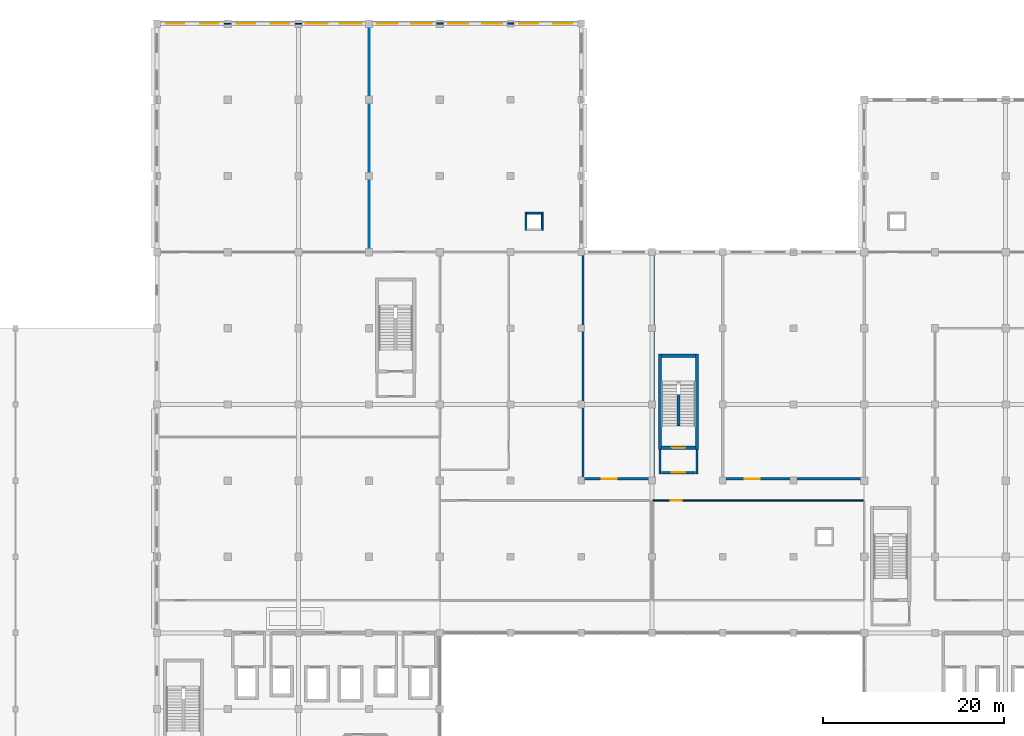
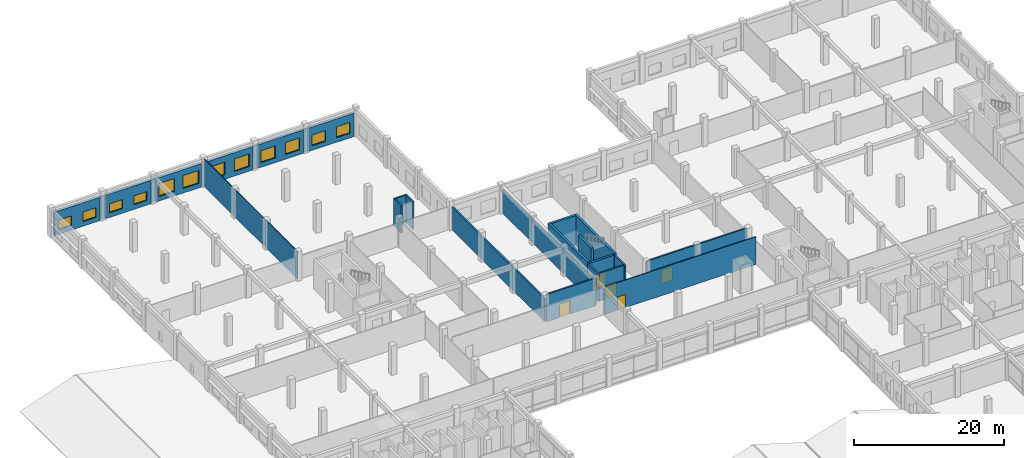
# One storey, part 46 of 62: 27 walls, 12 windows, 5 doors, 17 openings.
"""IFC4 building model written with IfcOpenShell, lengths in metres."""

from ifc_helpers import new_model, si_unit, direction, frame, frame_2d, origin, place, context, subcontext, project, spatial, rectangle, extrude, material, layer, layer_set, type_object, element, fill, save


model = new_model("IFC4")

# Units and contexts
model_context = context("Model", 3, precision=1e-05, world=origin(), true_north=direction((0.0, 1.0)))
body_context = subcontext(model_context, "Body", "Model", "MODEL_VIEW")
ifc_project = project(units=[si_unit("LENGTHUNIT", "METRE"), si_unit("AREAUNIT", "SQUARE_METRE"), si_unit("VOLUMEUNIT", "CUBIC_METRE"), si_unit("PLANEANGLEUNIT", "RADIAN"), si_unit("MASSUNIT", "GRAM", prefix="KILO"), si_unit("THERMODYNAMICTEMPERATUREUNIT", "KELVIN"), si_unit("POWERUNIT", "WATT")], contexts=[model_context])

# Site, building, storey
site_placement = place(None, origin())
site = spatial("IfcSite", under=ifc_project, at=site_placement, CompositionType="ELEMENT")
building_placement = place(site_placement, origin())
building = spatial("IfcBuilding", under=site, at=building_placement, Name="Srebrne Nadtorze General Hospital", CompositionType="ELEMENT")
storey_placement = place(building_placement, frame((0.0, 0.0, 9.60009765625)))
storey = spatial("IfcBuildingStorey", under=building, at=storey_placement, Name="L02", CompositionType="ELEMENT", Elevation=9.60009765625)

# Wall, openings, windows
ifc_material_1 = material(Name="Concrete C40/50", Category="concrete")
ifc_layer_1 = layer(ifc_material_1, 0.419921875)
ifc_layer_set_1 = layer_set([ifc_layer_1], Name="Concrete C40/50")
wall_type_1 = type_object("IfcWallType", Name="Acoustic buffer wall 420", PredefinedType="SOLIDWALL", material=ifc_layer_set_1)
wall_1_placement = place(storey_placement, frame((23.800048828125, 117.60009765625, 0.0), z_axis=(0.0, 0.0, 1.0), x_axis=(1.0, 0.0, 0.0)))
wall_1 = element("IfcWall", 1, at=wall_1_placement, inside=storey, type_object=wall_type_1, Name="Exterior wall WL-ENV-L02-0236", PredefinedType="SOLIDWALL", context=body_context, shape_type="SweptSolid", body=[
    extrude(rectangle(XDim=7.0, YDim=0.419921875, at=frame_2d((3.5, 0.0))), origin(), (0.0, 0.0, 1.0), 3.7998046875),
])
opening_1_placement = place(wall_1_placement, frame((0.6279296875, 0.0, 0.75)))
opening_1 = element("IfcOpeningElement", 2, at=opening_1_placement, cuts=wall_1, Name="Opening WN-L02-0290", PredefinedType="OPENING", context=body_context, shape_type="SweptSolid", body=[
    extrude(rectangle(XDim=2.0, YDim=1.550048828125, at=frame_2d((1.0, 0.77490234375))), frame((0.0, 0.221923828125, 0.0), z_axis=(0.0, -1.0, 0.0), x_axis=(1.0, 0.0, 0.0)), (0.0, 0.0, 1.0), 0.44384765625),
])
opening_2_placement = place(wall_1_placement, frame((4.3720703125, 0.0, 0.75)))
opening_2 = element("IfcOpeningElement", 3, at=opening_2_placement, cuts=wall_1, Name="Opening WN-L02-0291", PredefinedType="OPENING", context=body_context, shape_type="SweptSolid", body=[
    extrude(rectangle(XDim=2.0, YDim=1.550048828125, at=frame_2d((1.0, 0.77490234375))), frame((0.0, 0.221923828125, 0.0), z_axis=(0.0, -1.0, 0.0), x_axis=(1.0, 0.0, 0.0)), (0.0, 0.0, 1.0), 0.44384765625),
])
ifc_material_2 = material(Name="Triple Low-E Glazing", Category="glass")
window_type_1 = type_object("IfcWindowType", Name="Punched clinical window 2000x1550", PartitioningType="DOUBLE_PANEL_VERTICAL", PredefinedType="WINDOW", material=ifc_material_2)
window_1_placement = place(opening_1_placement, origin())
window_1 = element("IfcWindow", 4, at=window_1_placement, inside=storey, type_object=window_type_1, Name="Clinical window WN-L02-0290", OverallHeight=1.550048828125, OverallWidth=2.0, PartitioningType="DOUBLE_PANEL_VERTICAL", PredefinedType="WINDOW", context=body_context, shape_type="SweptSolid", body=[
    extrude(rectangle(XDim=2.0, YDim=1.550048828125, at=frame_2d((1.0, 0.77490234375))), frame((0.0, 0.030029296875, 0.0), z_axis=(0.0, -1.0, 0.0), x_axis=(1.0, 0.0, 0.0)), (0.0, 0.0, 1.0), 0.06005859375),
])
fill(opening_1, window_1)
window_2_placement = place(opening_2_placement, origin())
window_2 = element("IfcWindow", 5, at=window_2_placement, inside=storey, type_object=window_type_1, Name="Clinical window WN-L02-0291", OverallHeight=1.550048828125, OverallWidth=2.0, PartitioningType="DOUBLE_PANEL_VERTICAL", PredefinedType="WINDOW", context=body_context, shape_type="SweptSolid", body=[
    extrude(rectangle(XDim=2.0, YDim=1.550048828125, at=frame_2d((1.0, 0.77490234375))), frame((0.0, 0.030029296875, 0.0), z_axis=(0.0, -1.0, 0.0), x_axis=(1.0, 0.0, 0.0)), (0.0, 0.0, 1.0), 0.06005859375),
])
fill(opening_2, window_2)

wall_2_placement = place(storey_placement, frame((31.60009765625, 117.60009765625, 0.0), z_axis=(0.0, 0.0, 1.0), x_axis=(1.0, 0.0, 0.0)))
wall_2 = element("IfcWall", 6, at=wall_2_placement, inside=storey, type_object=wall_type_1, Name="Exterior wall WL-ENV-L02-0237", PredefinedType="SOLIDWALL", context=body_context, shape_type="SweptSolid", body=[
    extrude(rectangle(XDim=7.0, YDim=0.419921875, at=frame_2d((3.5, 0.0))), origin(), (0.0, 0.0, 1.0), 3.7998046875),
])
opening_3_placement = place(wall_2_placement, frame((0.6279296875, 0.0, 0.75)))
opening_3 = element("IfcOpeningElement", 7, at=opening_3_placement, cuts=wall_2, Name="Opening WN-L02-0292", PredefinedType="OPENING", context=body_context, shape_type="SweptSolid", body=[
    extrude(rectangle(XDim=2.0, YDim=1.449951171875, at=frame_2d((1.0, 0.72509765625))), frame((0.0, 0.221923828125, 0.0), z_axis=(0.0, -1.0, 0.0), x_axis=(1.0, 0.0, 0.0)), (0.0, 0.0, 1.0), 0.44384765625),
])
opening_4_placement = place(wall_2_placement, frame((4.3720703125, 0.0, 0.75)))
opening_4 = element("IfcOpeningElement", 8, at=opening_4_placement, cuts=wall_2, Name="Opening WN-L02-0293", PredefinedType="OPENING", context=body_context, shape_type="SweptSolid", body=[
    extrude(rectangle(XDim=2.0, YDim=1.449951171875, at=frame_2d((1.0, 0.72509765625))), frame((0.0, 0.221923828125, 0.0), z_axis=(0.0, -1.0, 0.0), x_axis=(1.0, 0.0, 0.0)), (0.0, 0.0, 1.0), 0.44384765625),
])
ifc_material_3 = material(Name="Triple Low-E Glazing", Category="glass")
window_type_2 = type_object("IfcWindowType", Name="Punched clinical window 2000x1450", PartitioningType="DOUBLE_PANEL_VERTICAL", PredefinedType="WINDOW", material=ifc_material_3)
window_3_placement = place(opening_3_placement, origin())
window_3 = element("IfcWindow", 9, at=window_3_placement, inside=storey, type_object=window_type_2, Name="Clinical window WN-L02-0292", OverallHeight=1.449951171875, OverallWidth=2.0, PartitioningType="DOUBLE_PANEL_VERTICAL", PredefinedType="WINDOW", context=body_context, shape_type="SweptSolid", body=[
    extrude(rectangle(XDim=2.0, YDim=1.449951171875, at=frame_2d((1.0, 0.72509765625))), frame((0.0, 0.030029296875, 0.0), z_axis=(0.0, -1.0, 0.0), x_axis=(1.0, 0.0, 0.0)), (0.0, 0.0, 1.0), 0.06005859375),
])
fill(opening_3, window_3)
window_4_placement = place(opening_4_placement, origin())
window_4 = element("IfcWindow", 10, at=window_4_placement, inside=storey, type_object=window_type_2, Name="Clinical window WN-L02-0293", OverallHeight=1.449951171875, OverallWidth=2.0, PartitioningType="DOUBLE_PANEL_VERTICAL", PredefinedType="WINDOW", context=body_context, shape_type="SweptSolid", body=[
    extrude(rectangle(XDim=2.0, YDim=1.449951171875, at=frame_2d((1.0, 0.72509765625))), frame((0.0, 0.030029296875, 0.0), z_axis=(0.0, -1.0, 0.0), x_axis=(1.0, 0.0, 0.0)), (0.0, 0.0, 1.0), 0.06005859375),
])
fill(opening_4, window_4)

wall_3_placement = place(storey_placement, frame((39.39990234375, 117.60009765625, 0.0), z_axis=(0.0, 0.0, 1.0), x_axis=(1.0, 0.0, 0.0)))
wall_3 = element("IfcWall", 11, at=wall_3_placement, inside=storey, type_object=wall_type_1, Name="Exterior wall WL-ENV-L02-0238", PredefinedType="SOLIDWALL", context=body_context, shape_type="SweptSolid", body=[
    extrude(rectangle(XDim=7.0, YDim=0.419921875, at=frame_2d((3.5, 0.0))), origin(), (0.0, 0.0, 1.0), 3.7998046875),
])
opening_5_placement = place(wall_3_placement, frame((0.427978515625, 0.0, 0.75)))
opening_5 = element("IfcOpeningElement", 12, at=opening_5_placement, cuts=wall_3, Name="Opening WN-L02-0294", PredefinedType="OPENING", context=body_context, shape_type="SweptSolid", body=[
    extrude(rectangle(XDim=2.39990234375, YDim=2.10009765625, at=frame_2d((1.199951171875, 1.050048828125))), frame((0.0, 0.221923828125, 0.0), z_axis=(0.0, -1.0, 0.0), x_axis=(1.0, 0.0, 0.0)), (0.0, 0.0, 1.0), 0.44384765625),
])
opening_6_placement = place(wall_3_placement, frame((4.172119140625, 0.0, 0.75)))
opening_6 = element("IfcOpeningElement", 13, at=opening_6_placement, cuts=wall_3, Name="Opening WN-L02-0295", PredefinedType="OPENING", context=body_context, shape_type="SweptSolid", body=[
    extrude(rectangle(XDim=2.39990234375, YDim=2.10009765625, at=frame_2d((1.199951171875, 1.050048828125))), frame((0.0, 0.221923828125, 0.0), z_axis=(0.0, -1.0, 0.0), x_axis=(1.0, 0.0, 0.0)), (0.0, 0.0, 1.0), 0.44384765625),
])
ifc_material_4 = material(Name="Triple Low-E Glazing", Category="glass")
window_type_3 = type_object("IfcWindowType", Name="Punched clinical window 2400x2100", PartitioningType="DOUBLE_PANEL_VERTICAL", PredefinedType="WINDOW", material=ifc_material_4)
window_5_placement = place(opening_5_placement, origin())
window_5 = element("IfcWindow", 14, at=window_5_placement, inside=storey, type_object=window_type_3, Name="Clinical window WN-L02-0294", OverallHeight=2.10009765625, OverallWidth=2.39990234375, PartitioningType="DOUBLE_PANEL_VERTICAL", PredefinedType="WINDOW", context=body_context, shape_type="SweptSolid", body=[
    extrude(rectangle(XDim=2.39990234375, YDim=2.10009765625, at=frame_2d((1.199951171875, 1.050048828125))), frame((0.0, 0.030029296875, 0.0), z_axis=(0.0, -1.0, 0.0), x_axis=(1.0, 0.0, 0.0)), (0.0, 0.0, 1.0), 0.06005859375),
])
fill(opening_5, window_5)
window_6_placement = place(opening_6_placement, origin())
window_6 = element("IfcWindow", 15, at=window_6_placement, inside=storey, type_object=window_type_3, Name="Clinical window WN-L02-0295", OverallHeight=2.10009765625, OverallWidth=2.39990234375, PartitioningType="DOUBLE_PANEL_VERTICAL", PredefinedType="WINDOW", context=body_context, shape_type="SweptSolid", body=[
    extrude(rectangle(XDim=2.39990234375, YDim=2.10009765625, at=frame_2d((1.199951171875, 1.050048828125))), frame((0.0, 0.030029296875, 0.0), z_axis=(0.0, -1.0, 0.0), x_axis=(1.0, 0.0, 0.0)), (0.0, 0.0, 1.0), 0.06005859375),
])
fill(opening_6, window_6)

wall_4_placement = place(storey_placement, frame((47.199951171875, 117.60009765625, 0.0), z_axis=(0.0, 0.0, 1.0), x_axis=(1.0, 0.0, 0.0)))
wall_4 = element("IfcWall", 16, at=wall_4_placement, inside=storey, type_object=wall_type_1, Name="Exterior wall WL-ENV-L02-0239", PredefinedType="SOLIDWALL", context=body_context, shape_type="SweptSolid", body=[
    extrude(rectangle(XDim=7.0, YDim=0.419921875, at=frame_2d((3.5, 0.0))), origin(), (0.0, 0.0, 1.0), 3.7998046875),
])
opening_7_placement = place(wall_4_placement, frame((0.47802734375, 0.0, 0.75)))
opening_7 = element("IfcOpeningElement", 17, at=opening_7_placement, cuts=wall_4, Name="Opening WN-L02-0296", PredefinedType="OPENING", context=body_context, shape_type="SweptSolid", body=[
    extrude(rectangle(XDim=2.300048828125, YDim=2.050048828125, at=frame_2d((1.14990234375, 1.02490234375))), frame((0.0, 0.221923828125, 0.0), z_axis=(0.0, -1.0, 0.0), x_axis=(1.0, 0.0, 0.0)), (0.0, 0.0, 1.0), 0.44384765625),
])
opening_8_placement = place(wall_4_placement, frame((4.221923828125, 0.0, 0.75)))
opening_8 = element("IfcOpeningElement", 18, at=opening_8_placement, cuts=wall_4, Name="Opening WN-L02-0297", PredefinedType="OPENING", context=body_context, shape_type="SweptSolid", body=[
    extrude(rectangle(XDim=2.300048828125, YDim=2.050048828125, at=frame_2d((1.14990234375, 1.02490234375))), frame((0.0, 0.221923828125, 0.0), z_axis=(0.0, -1.0, 0.0), x_axis=(1.0, 0.0, 0.0)), (0.0, 0.0, 1.0), 0.44384765625),
])
ifc_material_5 = material(Name="Triple Low-E Glazing", Category="glass")
window_type_4 = type_object("IfcWindowType", Name="Punched clinical window 2300x2050", PartitioningType="DOUBLE_PANEL_VERTICAL", PredefinedType="WINDOW", material=ifc_material_5)
window_7_placement = place(opening_7_placement, origin())
window_7 = element("IfcWindow", 19, at=window_7_placement, inside=storey, type_object=window_type_4, Name="Clinical window WN-L02-0296", OverallHeight=2.050048828125, OverallWidth=2.300048828125, PartitioningType="DOUBLE_PANEL_VERTICAL", PredefinedType="WINDOW", context=body_context, shape_type="SweptSolid", body=[
    extrude(rectangle(XDim=2.300048828125, YDim=2.050048828125, at=frame_2d((1.14990234375, 1.02490234375))), frame((0.0, 0.030029296875, 0.0), z_axis=(0.0, -1.0, 0.0), x_axis=(1.0, 0.0, 0.0)), (0.0, 0.0, 1.0), 0.06005859375),
])
fill(opening_7, window_7)
window_8_placement = place(opening_8_placement, origin())
window_8 = element("IfcWindow", 20, at=window_8_placement, inside=storey, type_object=window_type_4, Name="Clinical window WN-L02-0297", OverallHeight=2.050048828125, OverallWidth=2.300048828125, PartitioningType="DOUBLE_PANEL_VERTICAL", PredefinedType="WINDOW", context=body_context, shape_type="SweptSolid", body=[
    extrude(rectangle(XDim=2.300048828125, YDim=2.050048828125, at=frame_2d((1.14990234375, 1.02490234375))), frame((0.0, 0.030029296875, 0.0), z_axis=(0.0, -1.0, 0.0), x_axis=(1.0, 0.0, 0.0)), (0.0, 0.0, 1.0), 0.06005859375),
])
fill(opening_8, window_8)

wall_5_placement = place(storey_placement, frame((55.0, 117.60009765625, 0.0), z_axis=(0.0, 0.0, 1.0), x_axis=(1.0, 0.0, 0.0)))
wall_5 = element("IfcWall", 21, at=wall_5_placement, inside=storey, type_object=wall_type_1, Name="Exterior wall WL-ENV-L02-0240", PredefinedType="SOLIDWALL", context=body_context, shape_type="SweptSolid", body=[
    extrude(rectangle(XDim=7.02490234375, YDim=0.419921875, at=frame_2d((3.512451171875, 0.0))), origin(), (0.0, 0.0, 1.0), 3.7998046875),
])
opening_9_placement = place(wall_5_placement, frame((0.528076171875, 0.0, 0.75)))
opening_9 = element("IfcOpeningElement", 22, at=opening_9_placement, cuts=wall_5, Name="Opening WN-L02-0298", PredefinedType="OPENING", context=body_context, shape_type="SweptSolid", body=[
    extrude(rectangle(XDim=2.199951171875, YDim=1.949951171875, at=frame_2d((1.10009765625, 0.97509765625))), frame((0.0, 0.221923828125, 0.0), z_axis=(0.0, -1.0, 0.0), x_axis=(1.0, 0.0, 0.0)), (0.0, 0.0, 1.0), 0.44384765625),
])
opening_10_placement = place(wall_5_placement, frame((4.27197265625, 0.0, 0.75)))
opening_10 = element("IfcOpeningElement", 23, at=opening_10_placement, cuts=wall_5, Name="Opening WN-L02-0299", PredefinedType="OPENING", context=body_context, shape_type="SweptSolid", body=[
    extrude(rectangle(XDim=2.199951171875, YDim=1.949951171875, at=frame_2d((1.10009765625, 0.97509765625))), frame((0.0, 0.221923828125, 0.0), z_axis=(0.0, -1.0, 0.0), x_axis=(1.0, 0.0, 0.0)), (0.0, 0.0, 1.0), 0.44384765625),
])
ifc_material_6 = material(Name="Triple Low-E Glazing", Category="glass")
window_type_5 = type_object("IfcWindowType", Name="Punched clinical window 2200x1950", PartitioningType="DOUBLE_PANEL_VERTICAL", PredefinedType="WINDOW", material=ifc_material_6)
window_9_placement = place(opening_9_placement, origin())
window_9 = element("IfcWindow", 24, at=window_9_placement, inside=storey, type_object=window_type_5, Name="Clinical window WN-L02-0298", OverallHeight=1.949951171875, OverallWidth=2.199951171875, PartitioningType="DOUBLE_PANEL_VERTICAL", PredefinedType="WINDOW", context=body_context, shape_type="SweptSolid", body=[
    extrude(rectangle(XDim=2.199951171875, YDim=1.949951171875, at=frame_2d((1.10009765625, 0.97509765625))), frame((0.0, 0.030029296875, 0.0), z_axis=(0.0, -1.0, 0.0), x_axis=(1.0, 0.0, 0.0)), (0.0, 0.0, 1.0), 0.06005859375),
])
fill(opening_9, window_9)
window_10_placement = place(opening_10_placement, origin())
window_10 = element("IfcWindow", 25, at=window_10_placement, inside=storey, type_object=window_type_5, Name="Clinical window WN-L02-0299", OverallHeight=1.949951171875, OverallWidth=2.199951171875, PartitioningType="DOUBLE_PANEL_VERTICAL", PredefinedType="WINDOW", context=body_context, shape_type="SweptSolid", body=[
    extrude(rectangle(XDim=2.199951171875, YDim=1.949951171875, at=frame_2d((1.10009765625, 0.97509765625))), frame((0.0, 0.030029296875, 0.0), z_axis=(0.0, -1.0, 0.0), x_axis=(1.0, 0.0, 0.0)), (0.0, 0.0, 1.0), 0.06005859375),
])
fill(opening_10, window_10)

wall_6_placement = place(storey_placement, frame((62.77490234375, 117.60009765625, 0.0), z_axis=(0.0, 0.0, 1.0), x_axis=(1.0, 0.0, 0.0)))
wall_6 = element("IfcWall", 26, at=wall_6_placement, inside=storey, type_object=wall_type_1, Name="Exterior wall WL-ENV-L02-0241", PredefinedType="SOLIDWALL", context=body_context, shape_type="SweptSolid", body=[
    extrude(rectangle(XDim=7.050048828125, YDim=0.419921875, at=frame_2d((3.52490234375, 0.0))), origin(), (0.0, 0.0, 1.0), 3.7998046875),
])
opening_11_placement = place(wall_6_placement, frame((0.60302734375, 0.0, 0.75)))
opening_11 = element("IfcOpeningElement", 27, at=opening_11_placement, cuts=wall_6, Name="Opening WN-L02-0300", PredefinedType="OPENING", context=body_context, shape_type="SweptSolid", body=[
    extrude(rectangle(XDim=2.10009765625, YDim=1.75, at=frame_2d((1.050048828125, 0.875))), frame((0.0, 0.221923828125, 0.0), z_axis=(0.0, -1.0, 0.0), x_axis=(1.0, 0.0, 0.0)), (0.0, 0.0, 1.0), 0.44384765625),
])
opening_12_placement = place(wall_6_placement, frame((4.346923828125, 0.0, 0.75)))
opening_12 = element("IfcOpeningElement", 28, at=opening_12_placement, cuts=wall_6, Name="Opening WN-L02-0301", PredefinedType="OPENING", context=body_context, shape_type="SweptSolid", body=[
    extrude(rectangle(XDim=2.10009765625, YDim=1.75, at=frame_2d((1.050048828125, 0.875))), frame((0.0, 0.221923828125, 0.0), z_axis=(0.0, -1.0, 0.0), x_axis=(1.0, 0.0, 0.0)), (0.0, 0.0, 1.0), 0.44384765625),
])
ifc_material_7 = material(Name="Triple Low-E Glazing", Category="glass")
window_type_6 = type_object("IfcWindowType", Name="Punched clinical window 2100x1750", PartitioningType="DOUBLE_PANEL_VERTICAL", PredefinedType="WINDOW", material=ifc_material_7)
window_11_placement = place(opening_11_placement, origin())
window_11 = element("IfcWindow", 29, at=window_11_placement, inside=storey, type_object=window_type_6, Name="Clinical window WN-L02-0300", OverallHeight=1.75, OverallWidth=2.10009765625, PartitioningType="DOUBLE_PANEL_VERTICAL", PredefinedType="WINDOW", context=body_context, shape_type="SweptSolid", body=[
    extrude(rectangle(XDim=2.10009765625, YDim=1.75, at=frame_2d((1.050048828125, 0.875))), frame((0.0, 0.030029296875, 0.0), z_axis=(0.0, -1.0, 0.0), x_axis=(1.0, 0.0, 0.0)), (0.0, 0.0, 1.0), 0.06005859375),
])
fill(opening_11, window_11)
window_12_placement = place(opening_12_placement, origin())
window_12 = element("IfcWindow", 30, at=window_12_placement, inside=storey, type_object=window_type_6, Name="Clinical window WN-L02-0301", OverallHeight=1.75, OverallWidth=2.10009765625, PartitioningType="DOUBLE_PANEL_VERTICAL", PredefinedType="WINDOW", context=body_context, shape_type="SweptSolid", body=[
    extrude(rectangle(XDim=2.10009765625, YDim=1.75, at=frame_2d((1.050048828125, 0.875))), frame((0.0, 0.030029296875, 0.0), z_axis=(0.0, -1.0, 0.0), x_axis=(1.0, 0.0, 0.0)), (0.0, 0.0, 1.0), 0.06005859375),
])
fill(opening_12, window_12)

# Wall, opening, door
ifc_material_8 = material(Name="Gypsum Healthcare Partition")
ifc_layer_2 = layer(ifc_material_8, 0.139892578125)
ifc_layer_set_2 = layer_set([ifc_layer_2], Name="Gypsum Healthcare Partition")
wall_type_2 = type_object("IfcWallType", Name="Clinical partition 140", PredefinedType="PARTITIONING", material=ifc_layer_set_2)
wall_7_placement = place(storey_placement, frame((78.0849609375, 65.0, 0.0), z_axis=(0.0, 0.0, 1.0), x_axis=(1.0, 0.0, 0.0)))
wall_7 = element("IfcWall", 31, at=wall_7_placement, inside=storey, type_object=wall_type_2, Name="Pre-Operative Holding Ward wall WL-INT-L02-1527", PredefinedType="PARTITIONING", context=body_context, shape_type="SweptSolid", body=[
    extrude(rectangle(XDim=23.22998046875, YDim=0.139892578125, at=frame_2d((11.614990234375, 0.0))), origin(), (0.0, 0.0, 1.0), 4.47998046875),
])
opening_13_placement = place(wall_7_placement, frame((1.984619140625, 0.0, 0.0)))
opening_13 = element("IfcOpeningElement", 32, at=opening_13_placement, cuts=wall_7, Name="Opening D-L02-0245", PredefinedType="OPENING", context=body_context, shape_type="SweptSolid", body=[
    extrude(rectangle(XDim=1.219970703125, YDim=2.14990234375, at=frame_2d((0.60986328125, 1.074951171875))), frame((0.0, 0.08203125, 0.0), z_axis=(0.0, -1.0, 0.0), x_axis=(1.0, 0.0, 0.0)), (0.0, 0.0, 1.0), 0.163818359375),
])
ifc_material_9 = material(Name="Anodised Aluminium", Category="aluminium")
door_type_1 = type_object("IfcDoorType", Name="Single leaf door 1220x2150", OperationType="NOTDEFINED", PredefinedType="DOOR", material=ifc_material_9)
door_1_placement = place(opening_13_placement, frame((1.219970703125, 0.0, 0.0), z_axis=(0.0, 0.0, 1.0), x_axis=(-1.0, 0.0, 0.0)))
door_1 = element("IfcDoor", 33, at=door_1_placement, inside=storey, type_object=door_type_1, Name="Pre-Operative Holding Ward door D-L02-0245", OperationType="SINGLE_SWING_RIGHT", OverallHeight=2.14990234375, OverallWidth=1.219970703125, PredefinedType="DOOR", context=body_context, shape_type="SweptSolid", body=[
    extrude(rectangle(XDim=1.219970703125, YDim=2.14990234375, at=frame_2d((0.60986328125, 1.074951171875))), frame((0.0, 0.02490234375, 0.0), z_axis=(0.0, -1.0, 0.0), x_axis=(1.0, 0.0, 0.0)), (0.0, 0.0, 1.0), 0.050048828125),
])
fill(opening_13, door_1)

# Walls
ifc_material_10 = material(Name="Gypsum Healthcare Partition")
ifc_layer_3 = layer(ifc_material_10, 0.159912109375)
ifc_layer_set_3 = layer_set([ifc_layer_3], Name="Gypsum Healthcare Partition")
wall_type_3 = type_object("IfcWallType", Name="Clinical partition 160", PredefinedType="PARTITIONING", material=ifc_layer_set_3)
wall_8_placement = place(storey_placement, frame((54.239990234375, 117.60009765625, 0.0), z_axis=(0.0, 0.0, 1.0), x_axis=(1.0, 0.0, 0.0)))
element("IfcWall", 34, at=wall_8_placement, inside=storey, type_object=wall_type_3, Name="Coronary Intensive Care Unit wall WL-INT-L02-1505", PredefinedType="PARTITIONING", context=body_context, shape_type="SweptSolid", body=[
    extrude(rectangle(XDim=0.719970703125, YDim=0.159912109375, at=frame_2d((0.35986328125, 0.0))), origin(), (0.0, 0.0, 1.0), 3.75),
])
wall_9_placement = place(storey_placement, frame((62.06494140625, 117.60009765625, 0.0), z_axis=(0.0, 0.0, 1.0), x_axis=(1.0, 0.0, 0.0)))
element("IfcWall", 35, at=wall_9_placement, inside=storey, type_object=wall_type_3, Name="Coronary Intensive Care Unit wall WL-INT-L02-1506", PredefinedType="PARTITIONING", context=body_context, shape_type="SweptSolid", body=[
    extrude(rectangle(XDim=0.670166015625, YDim=0.159912109375, at=frame_2d((0.3349609375, 0.0))), origin(), (0.0, 0.0, 1.0), 3.75),
])
ifc_material_11 = material(Name="Gypsum Healthcare Partition")
ifc_layer_4 = layer(ifc_material_11, 0.199951171875)
ifc_layer_set_4 = layer_set([ifc_layer_4], Name="Gypsum Healthcare Partition")
wall_type_4 = type_object("IfcWallType", Name="Compartment wall 200", PredefinedType="STANDARD", material=ifc_layer_set_4)
for number, where, z_axis, x_axis, name in (
    (36, (64.10009765625, 94.800048828125, 0.0), (0.0, 0.0, 1.0), (0.0, 1.0, 0.0), "MEP riser wall WL-INT-L02-1010"),
    (37, (65.89990234375, 94.800048828125, 0.0), (0.0, 0.0, 1.0), (0.0, 1.0, 0.0), "MEP riser wall WL-INT-L02-1011"),
):
    element("IfcWall", number, at=place(storey_placement, frame(where, z_axis=z_axis, x_axis=x_axis)), inside=storey, type_object=wall_type_4, Name=name, PredefinedType="STANDARD", context=body_context, shape_type="SweptSolid", body=[
        extrude(rectangle(XDim=2.0, YDim=0.199951171875, at=frame_2d((1.0, 0.0))), origin(), (0.0, 0.0, 1.0), 4.5),
    ])
wall_10_placement = place(storey_placement, frame((64.199951171875, 96.699951171875, 0.0), z_axis=(0.0, 0.0, 1.0), x_axis=(1.0, 0.0, 0.0)))
element("IfcWall", 38, at=wall_10_placement, inside=storey, type_object=wall_type_4, Name="MEP riser wall WL-INT-L02-1013", PredefinedType="STANDARD", context=body_context, shape_type="SweptSolid", body=[
    extrude(rectangle(XDim=1.60009765625, YDim=0.199951171875, at=frame_2d((0.800048828125, 0.0))), origin(), (0.0, 0.0, 1.0), 4.5),
])
ifc_material_12 = material(Name="Gypsum Healthcare Partition")
ifc_layer_5 = layer(ifc_material_12, 0.239990234375)
ifc_layer_set_5 = layer_set([ifc_layer_5], Name="Gypsum Healthcare Partition")
wall_type_5 = type_object("IfcWallType", Name="Corridor fire wall 240", PredefinedType="STANDARD", material=ifc_layer_set_5)
for number, where, z_axis, x_axis, name in (
    (39, (78.875, 67.955078125, 0.0), (0.0, 0.0, 1.0), (0.0, 1.0, 0.0), "Fire lobby wall ST-07 WL-INT-L02-0229"),
    (40, (82.97509765625, 67.955078125, 0.0), (0.0, 0.0, 1.0), (0.0, 1.0, 0.0), "Fire lobby wall ST-07 WL-INT-L02-0230"),
):
    element("IfcWall", number, at=place(storey_placement, frame(where, z_axis=z_axis, x_axis=x_axis)), inside=storey, type_object=wall_type_5, Name=name, PredefinedType="STANDARD", context=body_context, shape_type="SweptSolid", body=[
        extrude(rectangle(XDim=2.69482421875, YDim=0.239990234375, at=frame_2d((1.347412109375, 0.0))), origin(), (0.0, 0.0, 1.0), 4.5),
    ])

# Wall, opening, door
wall_11_placement = place(storey_placement, frame((79.050048828125, 68.074951171875, 0.0), z_axis=(0.0, 0.0, 1.0), x_axis=(1.0, 0.0, 0.0)))
wall_11 = element("IfcWall", 41, at=wall_11_placement, inside=storey, type_object=wall_type_5, Name="Fire lobby entry wall ST-07 WL-INT-L02-0231", PredefinedType="STANDARD", context=body_context, shape_type="SweptSolid", body=[
    extrude(rectangle(XDim=3.75, YDim=0.239990234375, at=frame_2d((1.875, 0.0))), origin(), (0.0, 0.0, 1.0), 4.5),
])
opening_14_placement = place(wall_11_placement, frame((1.125, 0.0, 0.0)))
opening_14 = element("IfcOpeningElement", 42, at=opening_14_placement, cuts=wall_11, Name="Opening D-L02-0058", PredefinedType="OPENING", context=body_context, shape_type="SweptSolid", body=[
    extrude(rectangle(XDim=1.5, YDim=2.199951171875, at=frame_2d((0.75, 1.10009765625))), frame((0.0, 0.1318359375, 0.0), z_axis=(0.0, -1.0, 0.0), x_axis=(1.0, 0.0, 0.0)), (0.0, 0.0, 1.0), 0.263916015625),
])
ifc_material_13 = material(Name="Anodised Aluminium", Category="aluminium")
door_type_2 = type_object("IfcDoorType", Name="Double leaf door 1500x2200", OperationType="DOUBLE_DOOR_SINGLE_SWING", PredefinedType="DOOR", material=ifc_material_13)
door_2_placement = place(opening_14_placement, origin())
door_2 = element("IfcDoor", 43, at=door_2_placement, inside=storey, type_object=door_type_2, Name="Fire lobby door ST-07 D-L02-0058", OperationType="DOUBLE_DOOR_SINGLE_SWING", OverallHeight=2.199951171875, OverallWidth=1.5, PredefinedType="DOOR", context=body_context, shape_type="SweptSolid", body=[
    extrude(rectangle(XDim=1.5, YDim=2.199951171875, at=frame_2d((0.75, 1.10009765625))), frame((0.0, 0.02490234375, 0.0), z_axis=(0.0, -1.0, 0.0), x_axis=(1.0, 0.0, 0.0)), (0.0, 0.0, 1.0), 0.050048828125),
])
fill(opening_14, door_2)

wall_12_placement = place(storey_placement, frame((70.510009765625, 67.39990234375, 0.0), z_axis=(0.0, 0.0, 1.0), x_axis=(1.0, 0.0, 0.0)))
wall_12 = element("IfcWall", 44, at=wall_12_placement, inside=storey, type_object=wall_type_5, Name="Day Surgery Operating Theatre wall WL-INT-L02-1530", PredefinedType="STANDARD", context=body_context, shape_type="SweptSolid", body=[
    extrude(rectangle(XDim=7.554931640625, YDim=0.239990234375, at=frame_2d((3.77734375, 0.0))), origin(), (0.0, 0.0, 1.0), 4.47998046875),
])
opening_15_placement = place(wall_12_placement, frame((1.939208984375, 0.0, 0.0)))
opening_15 = element("IfcOpeningElement", 45, at=opening_15_placement, cuts=wall_12, Name="Opening D-L02-0246", PredefinedType="OPENING", context=body_context, shape_type="SweptSolid", body=[
    extrude(rectangle(XDim=1.64990234375, YDim=2.25, at=frame_2d((0.824951171875, 1.125))), frame((0.0, 0.1318359375, 0.0), z_axis=(0.0, -1.0, 0.0), x_axis=(1.0, 0.0, 0.0)), (0.0, 0.0, 1.0), 0.263916015625),
])
ifc_material_14 = material(Name="Anodised Aluminium", Category="aluminium")
door_type_3 = type_object("IfcDoorType", Name="Double leaf door 1650x2250", OperationType="DOUBLE_DOOR_SINGLE_SWING", PredefinedType="DOOR", material=ifc_material_14)
door_3_placement = place(opening_15_placement, origin())
door_3 = element("IfcDoor", 46, at=door_3_placement, inside=storey, type_object=door_type_3, Name="Day Surgery Operating Theatre door D-L02-0246", OperationType="DOUBLE_DOOR_SINGLE_SWING", OverallHeight=2.25, OverallWidth=1.64990234375, PredefinedType="DOOR", context=body_context, shape_type="SweptSolid", body=[
    extrude(rectangle(XDim=1.64990234375, YDim=2.25, at=frame_2d((0.824951171875, 1.125))), frame((0.0, 0.02490234375, 0.0), z_axis=(0.0, -1.0, 0.0), x_axis=(1.0, 0.0, 0.0)), (0.0, 0.0, 1.0), 0.050048828125),
])
fill(opening_15, door_3)

# Walls
for number, where, z_axis, x_axis, name in (
    (47, (70.39990234375, 67.510009765625, 0.0), (0.0, 0.0, 1.0), (0.0, 1.0, 0.0), "Day Surgery Operating Theatre wall WL-INT-L02-1531"),
    (48, (78.175048828125, 67.510009765625, 0.0), (0.0, 0.0, 1.0), (0.0, 1.0, 0.0), "Day Surgery Operating Theatre wall WL-INT-L02-1532"),
):
    element("IfcWall", number, at=place(storey_placement, frame(where, z_axis=z_axis, x_axis=x_axis)), inside=storey, type_object=wall_type_5, Name=name, PredefinedType="STANDARD", context=body_context, shape_type="SweptSolid", body=[
        extrude(rectangle(XDim=24.780029296875, YDim=0.239990234375, at=frame_2d((12.39013671875, 0.0))), origin(), (0.0, 0.0, 1.0), 3.75),
    ])

# Wall, opening, door
wall_13_placement = place(storey_placement, frame((85.909912109375, 67.39990234375, 0.0), z_axis=(0.0, 0.0, 1.0), x_axis=(1.0, 0.0, 0.0)))
wall_13 = element("IfcWall", 49, at=wall_13_placement, inside=storey, type_object=wall_type_5, Name="Ophthalmic Operating Theatre wall WL-INT-L02-1533", PredefinedType="STANDARD", context=body_context, shape_type="SweptSolid", body=[
    extrude(rectangle(XDim=15.380126953125, YDim=0.239990234375, at=frame_2d((7.68994140625, 0.0))), origin(), (0.0, 0.0, 1.0), 4.47998046875),
])
opening_16_placement = place(wall_13_placement, frame((2.3388671875, 0.0, 0.0)))
opening_16 = element("IfcOpeningElement", 50, at=opening_16_placement, cuts=wall_13, Name="Opening D-L02-0247", PredefinedType="OPENING", context=body_context, shape_type="SweptSolid", body=[
    extrude(rectangle(XDim=1.64990234375, YDim=2.25, at=frame_2d((0.824951171875, 1.125))), frame((0.0, 0.1318359375, 0.0), z_axis=(0.0, -1.0, 0.0), x_axis=(1.0, 0.0, 0.0)), (0.0, 0.0, 1.0), 0.263916015625),
])
door_4_placement = place(opening_16_placement, origin())
door_4 = element("IfcDoor", 51, at=door_4_placement, inside=storey, type_object=door_type_3, Name="Ophthalmic Operating Theatre door D-L02-0247", OperationType="DOUBLE_DOOR_SINGLE_SWING", OverallHeight=2.25, OverallWidth=1.64990234375, PredefinedType="DOOR", context=body_context, shape_type="SweptSolid", body=[
    extrude(rectangle(XDim=1.64990234375, YDim=2.25, at=frame_2d((0.824951171875, 1.125))), frame((0.0, 0.02490234375, 0.0), z_axis=(0.0, -1.0, 0.0), x_axis=(1.0, 0.0, 0.0)), (0.0, 0.0, 1.0), 0.050048828125),
])
fill(opening_16, door_4)

# Walls
ifc_material_15 = material(Name="Gypsum Healthcare Partition")
ifc_layer_6 = layer(ifc_material_15, 0.10009765625)
ifc_layer_set_6 = layer_set([ifc_layer_6], Name="Gypsum Healthcare Partition")
wall_type_6 = type_object("IfcWallType", Name="Shaft lining wall 100", PredefinedType="PARTITIONING", material=ifc_layer_set_6)
wall_14_placement = place(storey_placement, frame((30.840087890625, 117.60009765625, 0.0), z_axis=(0.0, 0.0, 1.0), x_axis=(1.0, 0.0, 0.0)))
element("IfcWall", 52, at=wall_14_placement, inside=storey, type_object=wall_type_6, Name="Intensive Care Unit wall WL-INT-L02-1499", PredefinedType="PARTITIONING", context=body_context, shape_type="SweptSolid", body=[
    extrude(rectangle(XDim=0.719970703125, YDim=0.10009765625, at=frame_2d((0.35986328125, 0.0))), origin(), (0.0, 0.0, 1.0), 3.75),
])
wall_15_placement = place(storey_placement, frame((38.639892578125, 117.60009765625, 0.0), z_axis=(0.0, 0.0, 1.0), x_axis=(1.0, 0.0, 0.0)))
element("IfcWall", 53, at=wall_15_placement, inside=storey, type_object=wall_type_6, Name="Intensive Care Unit wall WL-INT-L02-1500", PredefinedType="PARTITIONING", context=body_context, shape_type="SweptSolid", body=[
    extrude(rectangle(XDim=0.72021484375, YDim=0.10009765625, at=frame_2d((0.360107421875, 0.0))), origin(), (0.0, 0.0, 1.0), 3.75),
])
wall_16_placement = place(storey_placement, frame((46.800048828125, 92.485107421875, 0.0), z_axis=(0.0, 0.0, 1.0), x_axis=(0.0, 1.0, 0.0)))
element("IfcWall", 54, at=wall_16_placement, inside=storey, type_object=wall_type_6, Name="Intensive Care Unit wall WL-INT-L02-1503", PredefinedType="PARTITIONING", context=body_context, shape_type="SweptSolid", body=[
    extrude(rectangle(XDim=25.02978515625, YDim=0.10009765625, at=frame_2d((12.514892578125, 0.0))), origin(), (0.0, 0.0, 1.0), 4.47998046875),
])
ifc_material_16 = material(Name="Concrete C40/50", Category="concrete")
ifc_layer_7 = layer(ifc_material_16, 0.35009765625)
ifc_layer_set_7 = layer_set([ifc_layer_7], Name="Concrete C40/50")
wall_type_7 = type_object("IfcWallType", Name="Shear core wall 350", PredefinedType="SHEAR", material=ifc_layer_set_7)
for number, where, z_axis, x_axis, name in (
    (55, (78.875, 70.64990234375, 0.0), (0.0, 0.0, 1.0), (0.0, 1.0, 0.0), "Stair core wall ST-07 WL-INT-L02-0225"),
    (56, (82.97509765625, 70.64990234375, 0.0), (0.0, 0.0, 1.0), (0.0, 1.0, 0.0), "Stair core wall ST-07 WL-INT-L02-0226"),
):
    element("IfcWall", number, at=place(storey_placement, frame(where, z_axis=z_axis, x_axis=x_axis)), inside=storey, type_object=wall_type_7, Name=name, PredefinedType="SHEAR", context=body_context, shape_type="SweptSolid", body=[
        extrude(rectangle(XDim=10.5, YDim=0.35009765625, at=frame_2d((5.25, 0.0))), origin(), (0.0, 0.0, 1.0), 4.7998046875),
    ])
wall_17_placement = place(storey_placement, frame((79.050048828125, 80.97509765625, 0.0), z_axis=(0.0, 0.0, 1.0), x_axis=(1.0, 0.0, 0.0)))
element("IfcWall", 57, at=wall_17_placement, inside=storey, type_object=wall_type_7, Name="Stair core wall ST-07 WL-INT-L02-0227", PredefinedType="SHEAR", context=body_context, shape_type="SweptSolid", body=[
    extrude(rectangle(XDim=3.75, YDim=0.35009765625, at=frame_2d((1.875, 0.0))), origin(), (0.0, 0.0, 1.0), 4.7998046875),
])

# Wall, opening, door
wall_18_placement = place(storey_placement, frame((79.050048828125, 70.824951171875, 0.0), z_axis=(0.0, 0.0, 1.0), x_axis=(1.0, 0.0, 0.0)))
wall_18 = element("IfcWall", 58, at=wall_18_placement, inside=storey, type_object=wall_type_7, Name="Stairwell fire wall ST-07 WL-INT-L02-0228", PredefinedType="SHEAR", context=body_context, shape_type="SweptSolid", body=[
    extrude(rectangle(XDim=3.75, YDim=0.35009765625, at=frame_2d((1.875, 0.0))), origin(), (0.0, 0.0, 1.0), 4.5),
])
opening_17_placement = place(wall_18_placement, frame((1.125, 0.0, 0.0)))
opening_17 = element("IfcOpeningElement", 59, at=opening_17_placement, cuts=wall_18, Name="Opening D-L02-0057", PredefinedType="OPENING", context=body_context, shape_type="SweptSolid", body=[
    extrude(rectangle(XDim=1.5, YDim=2.199951171875, at=frame_2d((0.75, 1.10009765625))), frame((0.0, 0.18701171875, 0.0), z_axis=(0.0, -1.0, 0.0), x_axis=(1.0, 0.0, 0.0)), (0.0, 0.0, 1.0), 0.3740234375),
])
door_5_placement = place(opening_17_placement, origin())
door_5 = element("IfcDoor", 60, at=door_5_placement, inside=storey, type_object=door_type_2, Name="Protected stair door ST-07 D-L02-0057", OperationType="DOUBLE_DOOR_SINGLE_SWING", OverallHeight=2.199951171875, OverallWidth=1.5, PredefinedType="DOOR", context=body_context, shape_type="SweptSolid", body=[
    extrude(rectangle(XDim=1.5, YDim=2.199951171875, at=frame_2d((0.75, 1.10009765625))), frame((0.0, 0.02490234375, 0.0), z_axis=(0.0, -1.0, 0.0), x_axis=(1.0, 0.0, 0.0)), (0.0, 0.0, 1.0), 0.050048828125),
])
fill(opening_17, door_5)

# Wall
wall_19_placement = place(storey_placement, frame((80.925048828125, 73.199951171875, 0.0), z_axis=(0.0, 0.0, 1.0), x_axis=(0.0, 1.0, 0.0)))
element("IfcWall", 61, at=wall_19_placement, inside=storey, type_object=wall_type_7, Name="Stair spine wall ST-07 WL-INT-L02-0232", PredefinedType="SHEAR", context=body_context, shape_type="SweptSolid", body=[
    extrude(rectangle(XDim=3.52001953125, YDim=0.35009765625, at=frame_2d((1.760009765625, 0.0))), origin(), (0.0, 0.0, 1.0), 4.7998046875),
])

save(model, "model.ifc")
